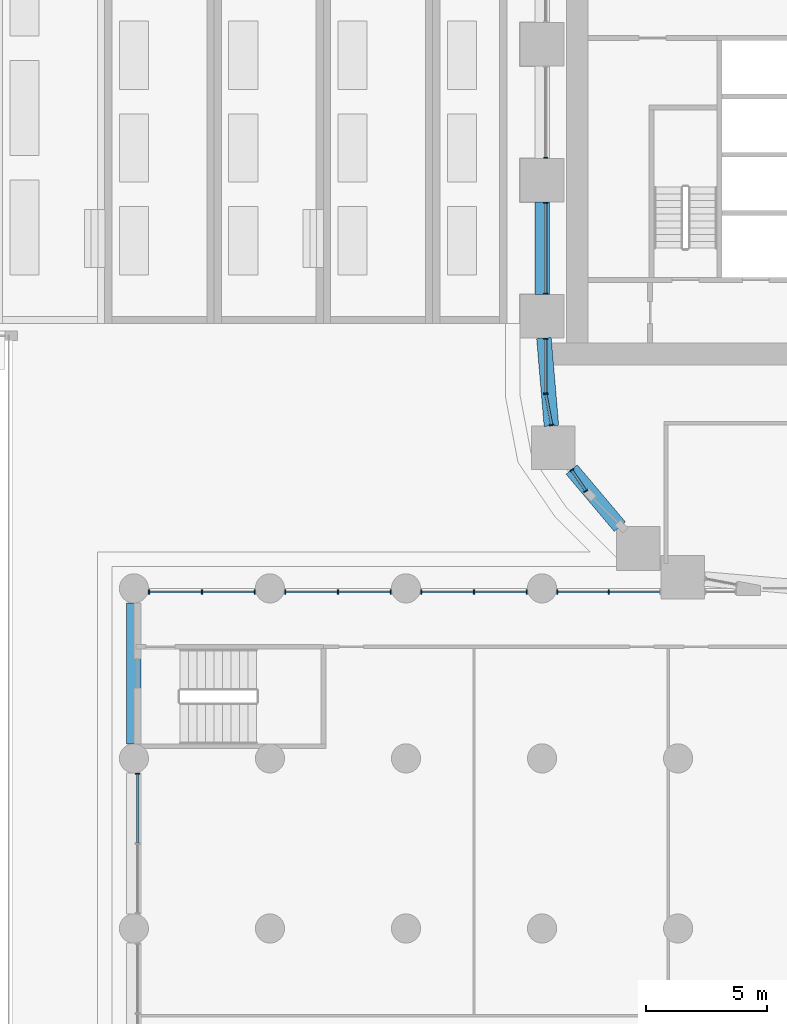
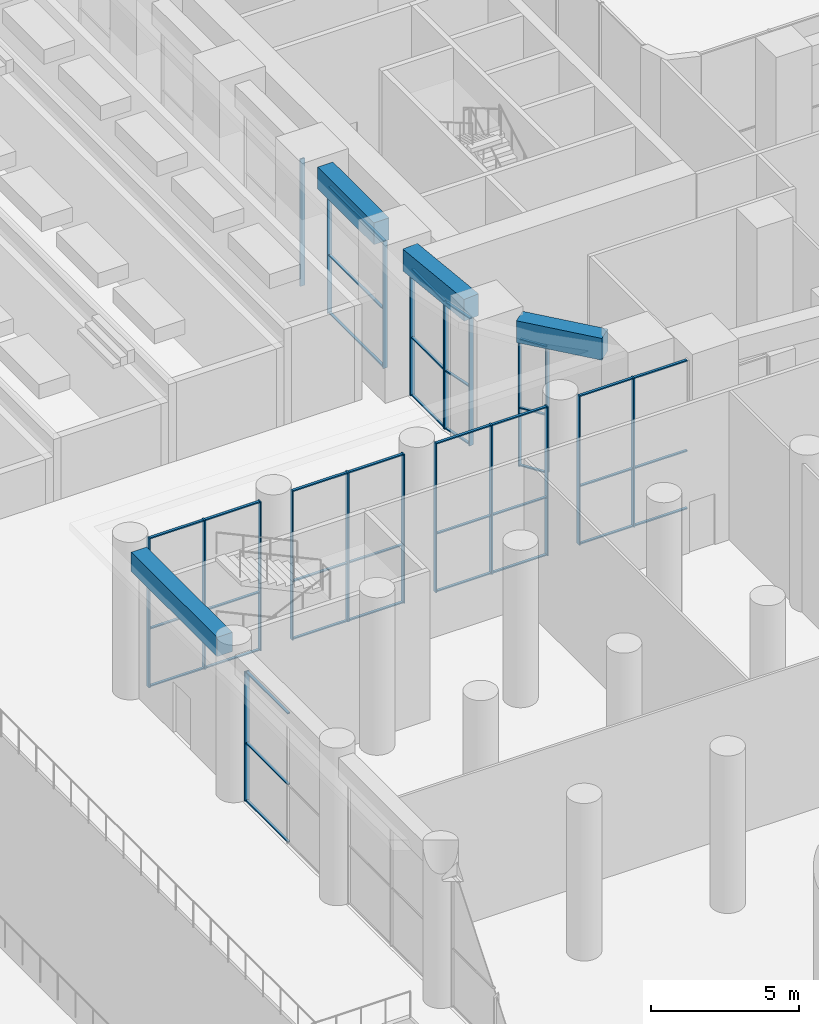
# One storey, part 9 of 51: 60 members, 4 beams, 10 elements without a shape of their own.
"""IFC4 building model written with IfcOpenShell, lengths in metres."""

from ifc_helpers import new_model, si_unit, direction, frame, origin, origin_2d, place, context, subcontext, project, spatial, rectangle, extrude, material, layer, layer_set, material_profile, profile_set, type_object, element, aggregate, save


model = new_model("IFC4")

# Units and contexts
model_context = context("Model", 3, precision=1e-05, world=origin(), true_north=direction((0.0, 1.0)))
body_context = subcontext(model_context, "Body", "Model", "MODEL_VIEW")
ifc_project = project(units=[si_unit("LENGTHUNIT", "METRE"), si_unit("AREAUNIT", "SQUARE_METRE"), si_unit("VOLUMEUNIT", "CUBIC_METRE"), si_unit("PLANEANGLEUNIT", "RADIAN"), si_unit("MASSUNIT", "GRAM", prefix="KILO")], contexts=[model_context])

# Site, building, storey
site_placement = place(None, origin())
site = spatial("IfcSite", under=ifc_project, at=site_placement, CompositionType="ELEMENT")
building_placement = place(site_placement, origin())
building = spatial("IfcBuilding", under=site, at=building_placement, Name="Kiln Ring Residences", CompositionType="ELEMENT")
storey_placement = place(building_placement, origin())
storey = spatial("IfcBuildingStorey", under=building, at=storey_placement, Name="L00", CompositionType="ELEMENT", Elevation=0.0)

# Curtain wall, member
ifc_material_1 = material(Name="Aluminium and glass", Category="aluminium")
ifc_layer = layer(ifc_material_1, 0.179931640625)
ifc_layer_set = layer_set([ifc_layer], Name="CW2 CURTAIN WALL")
curtain_wall_type = type_object("IfcCurtainWallType", Name="CW2 CURTAIN WALL", PredefinedType="NOTDEFINED", material=ifc_layer_set)
placement = place(storey_placement, origin())
curtain_wall_1 = element("IfcCurtainWall", 1, at=placement, inside=storey, type_object=curtain_wall_type, Name="Curtain wall CW2 L00", PredefinedType="NOTDEFINED")
ifc_material_2 = material(Name="Aluminium 6063-T6", Category="aluminium")
ifc_material_profile_1 = material_profile(ifc_material_2, rectangle(XDim=0.179931640625, YDim=0.050048828125, at=origin_2d()), Name="AL 180x50")
ifc_profile_set_1 = profile_set([ifc_material_profile_1], Name="Aluminium 6063-T6")
member_type_1 = type_object("IfcMemberType", Name="CW2 MULLION 180 x 50", PredefinedType="MULLION", material=ifc_profile_set_1)
member_1_placement = place(storey_placement, frame((-27.85009765625, -4.675048828125, 0.0), z_axis=(0.0, 0.0, 1.0), x_axis=(1.0, 0.0, 0.0)))
member_1 = element("IfcMember", 2, at=member_1_placement, type_object=member_type_1, Name="CW2 mullion 2", PredefinedType="MULLION", context=body_context, shape_type="SweptSolid", body=[
    extrude(rectangle(XDim=0.179931640625, YDim=0.050048828125, at=origin_2d()), origin(), (0.0, 0.0, 1.0), 5.25),
])
aggregate(curtain_wall_1, [member_1])

# Curtain wall, members
curtain_wall_2 = element("IfcCurtainWall", 3, at=placement, inside=storey, type_object=curtain_wall_type, Name="Curtain wall CW2 L00", PredefinedType="NOTDEFINED")
member_2_placement = place(storey_placement, frame((-27.85009765625, -6.52490234375, 0.0), z_axis=(0.0, 0.0, 1.0), x_axis=(1.0, 0.0, 0.0)))
member_2 = element("IfcMember", 4, at=member_2_placement, type_object=member_type_1, Name="CW2 mullion 1", PredefinedType="MULLION", context=body_context, shape_type="SweptSolid", body=[
    extrude(rectangle(XDim=0.179931640625, YDim=0.050048828125, at=origin_2d()), origin(), (0.0, 0.0, 1.0), 5.25),
])
member_3_placement = place(storey_placement, frame((-27.85009765625, -10.27490234375, 0.0), z_axis=(0.0, 0.0, 1.0), x_axis=(1.0, 0.0, 0.0)))
member_3 = element("IfcMember", 5, at=member_3_placement, type_object=member_type_1, Name="CW2 mullion 2", PredefinedType="MULLION", context=body_context, shape_type="SweptSolid", body=[
    extrude(rectangle(XDim=0.179931640625, YDim=0.050048828125, at=origin_2d()), origin(), (0.0, 0.0, 1.0), 5.25),
])

curtain_wall_3 = element("IfcCurtainWall", 6, at=placement, inside=storey, type_object=curtain_wall_type, Name="Curtain wall CW2 L00", PredefinedType="NOTDEFINED")
member_4_placement = place(storey_placement, frame((-27.85009765625, -12.125, 0.0), z_axis=(0.0, 0.0, 1.0), x_axis=(1.0, 0.0, 0.0)))
member_4 = element("IfcMember", 7, at=member_4_placement, type_object=member_type_1, Name="CW2 mullion 1", PredefinedType="MULLION", context=body_context, shape_type="SweptSolid", body=[
    extrude(rectangle(XDim=0.179931640625, YDim=0.050048828125, at=origin_2d()), origin(), (0.0, 0.0, 1.0), 5.25),
])
member_5_placement = place(storey_placement, frame((-27.85009765625, -14.375, 0.0), z_axis=(0.0, 0.0, 1.0), x_axis=(1.0, 0.0, 0.0)))
member_5 = element("IfcMember", 8, at=member_5_placement, type_object=member_type_1, Name="CW2 mullion 2", PredefinedType="MULLION", context=body_context, shape_type="SweptSolid", body=[
    extrude(rectangle(XDim=0.179931640625, YDim=0.050048828125, at=origin_2d()), origin(), (0.0, 0.0, 1.0), 5.25),
])

curtain_wall_4 = element("IfcCurtainWall", 9, at=placement, inside=storey, type_object=curtain_wall_type, Name="Curtain wall CW2 L00", PredefinedType="NOTDEFINED")
member_6_placement = place(storey_placement, frame((-27.847900390625, -14.396484375, 0.0), z_axis=(0.0, 0.0, 1.0), x_axis=(0.9822902578, 0.187365550279, 0.0)))
member_6 = element("IfcMember", 10, at=member_6_placement, type_object=member_type_1, Name="CW2 mullion 1", PredefinedType="MULLION", context=body_context, shape_type="SweptSolid", body=[
    extrude(rectangle(XDim=0.179931640625, YDim=0.050048828125, at=origin_2d()), origin(), (0.0, 0.0, 1.0), 5.25),
])
member_7_placement = place(storey_placement, frame((-27.603271484375, -15.679443359375, 0.0), z_axis=(0.0, 0.0, 1.0), x_axis=(0.9822902578, 0.187365550279, 0.0)))
member_7 = element("IfcMember", 11, at=member_7_placement, type_object=member_type_1, Name="CW2 mullion 2", PredefinedType="MULLION", context=body_context, shape_type="SweptSolid", body=[
    extrude(rectangle(XDim=0.179931640625, YDim=0.050048828125, at=origin_2d()), origin(), (0.0, 0.0, 1.0), 5.25),
])

curtain_wall_5 = element("IfcCurtainWall", 12, at=placement, inside=storey, type_object=curtain_wall_type, Name="Curtain wall CW2 L00", PredefinedType="NOTDEFINED")
member_8_placement = place(storey_placement, frame((-26.779296875, -17.529296875, 0.0), z_axis=(0.0, 0.0, 1.0), x_axis=(0.827071553488, 0.562096651308, 0.0)))
member_8 = element("IfcMember", 13, at=member_8_placement, type_object=member_type_1, Name="CW2 mullion 1", PredefinedType="MULLION", context=body_context, shape_type="SweptSolid", body=[
    extrude(rectangle(XDim=0.179931640625, YDim=0.050048828125, at=origin_2d()), origin(), (0.0, 0.0, 1.0), 5.25),
])
member_9_placement = place(storey_placement, frame((-26.19287109375, -18.39208984375, 0.0), z_axis=(0.0, 0.0, 1.0), x_axis=(0.827071553488, 0.562096651308, 0.0)))
member_9 = element("IfcMember", 14, at=member_9_placement, type_object=member_type_1, Name="CW2 mullion 2", PredefinedType="MULLION", context=body_context, shape_type="SweptSolid", body=[
    extrude(rectangle(XDim=0.179931640625, YDim=0.050048828125, at=origin_2d()), origin(), (0.0, 0.0, 1.0), 5.25),
])

curtain_wall_6 = element("IfcCurtainWall", 15, at=placement, inside=storey, type_object=curtain_wall_type, Name="Curtain wall CW2 L00", PredefinedType="NOTDEFINED")
member_10_placement = place(storey_placement, frame((-25.25439453125, -22.550048828125, 0.0), z_axis=(0.0, 0.0, 1.0), x_axis=(0.0, -1.0, 0.0)))
member_10 = element("IfcMember", 16, at=member_10_placement, type_object=member_type_1, Name="CW2 mullion 2", PredefinedType="MULLION", context=body_context, shape_type="SweptSolid", body=[
    extrude(rectangle(XDim=0.179931640625, YDim=0.050048828125, at=origin_2d()), origin(), (0.0, 0.0, 1.0), 6.14990234375),
])
member_11_placement = place(storey_placement, frame((-27.375, -22.550048828125, 0.0), z_axis=(0.0, 0.0, 1.0), x_axis=(0.0, -1.0, 0.0)))
member_11 = element("IfcMember", 17, at=member_11_placement, type_object=member_type_1, Name="CW2 mullion 3", PredefinedType="MULLION", context=body_context, shape_type="SweptSolid", body=[
    extrude(rectangle(XDim=0.179931640625, YDim=0.050048828125, at=origin_2d()), origin(), (0.0, 0.0, 1.0), 6.14990234375),
])

curtain_wall_7 = element("IfcCurtainWall", 18, at=placement, inside=storey, type_object=curtain_wall_type, Name="Curtain wall CW2 L00", PredefinedType="NOTDEFINED")
member_12_placement = place(storey_placement, frame((-28.625, -22.550048828125, 0.0), z_axis=(0.0, 0.0, 1.0), x_axis=(0.0, -1.0, 0.0)))
member_12 = element("IfcMember", 19, at=member_12_placement, type_object=member_type_1, Name="CW2 mullion 1", PredefinedType="MULLION", context=body_context, shape_type="SweptSolid", body=[
    extrude(rectangle(XDim=0.179931640625, YDim=0.050048828125, at=origin_2d()), origin(), (0.0, 0.0, 1.0), 6.14990234375),
])
member_13_placement = place(storey_placement, frame((-30.800048828125, -22.550048828125, 0.0), z_axis=(0.0, 0.0, 1.0), x_axis=(0.0, -1.0, 0.0)))
member_13 = element("IfcMember", 20, at=member_13_placement, type_object=member_type_1, Name="CW2 mullion 2", PredefinedType="MULLION", context=body_context, shape_type="SweptSolid", body=[
    extrude(rectangle(XDim=0.179931640625, YDim=0.050048828125, at=origin_2d()), origin(), (0.0, 0.0, 1.0), 6.14990234375),
])
member_14_placement = place(storey_placement, frame((-32.97509765625, -22.550048828125, 0.0), z_axis=(0.0, 0.0, 1.0), x_axis=(0.0, -1.0, 0.0)))
member_14 = element("IfcMember", 21, at=member_14_placement, type_object=member_type_1, Name="CW2 mullion 3", PredefinedType="MULLION", context=body_context, shape_type="SweptSolid", body=[
    extrude(rectangle(XDim=0.179931640625, YDim=0.050048828125, at=origin_2d()), origin(), (0.0, 0.0, 1.0), 6.14990234375),
])

curtain_wall_8 = element("IfcCurtainWall", 22, at=placement, inside=storey, type_object=curtain_wall_type, Name="Curtain wall CW2 L00", PredefinedType="NOTDEFINED")
member_15_placement = place(storey_placement, frame((-34.22509765625, -22.550048828125, 0.0), z_axis=(0.0, 0.0, 1.0), x_axis=(0.0, -1.0, 0.0)))
member_15 = element("IfcMember", 23, at=member_15_placement, type_object=member_type_1, Name="CW2 mullion 1", PredefinedType="MULLION", context=body_context, shape_type="SweptSolid", body=[
    extrude(rectangle(XDim=0.179931640625, YDim=0.050048828125, at=origin_2d()), origin(), (0.0, 0.0, 1.0), 6.14990234375),
])
member_16_placement = place(storey_placement, frame((-36.39990234375, -22.550048828125, 0.0), z_axis=(0.0, 0.0, 1.0), x_axis=(0.0, -1.0, 0.0)))
member_16 = element("IfcMember", 24, at=member_16_placement, type_object=member_type_1, Name="CW2 mullion 2", PredefinedType="MULLION", context=body_context, shape_type="SweptSolid", body=[
    extrude(rectangle(XDim=0.179931640625, YDim=0.050048828125, at=origin_2d()), origin(), (0.0, 0.0, 1.0), 6.14990234375),
])
member_17_placement = place(storey_placement, frame((-38.574951171875, -22.550048828125, 0.0), z_axis=(0.0, 0.0, 1.0), x_axis=(0.0, -1.0, 0.0)))
member_17 = element("IfcMember", 25, at=member_17_placement, type_object=member_type_1, Name="CW2 mullion 3", PredefinedType="MULLION", context=body_context, shape_type="SweptSolid", body=[
    extrude(rectangle(XDim=0.179931640625, YDim=0.050048828125, at=origin_2d()), origin(), (0.0, 0.0, 1.0), 6.14990234375),
])

curtain_wall_9 = element("IfcCurtainWall", 26, at=placement, inside=storey, type_object=curtain_wall_type, Name="Curtain wall CW2 L00", PredefinedType="NOTDEFINED")
member_18_placement = place(storey_placement, frame((-39.824951171875, -22.550048828125, 0.0), z_axis=(0.0, 0.0, 1.0), x_axis=(0.0, -1.0, 0.0)))
member_18 = element("IfcMember", 27, at=member_18_placement, type_object=member_type_1, Name="CW2 mullion 1", PredefinedType="MULLION", context=body_context, shape_type="SweptSolid", body=[
    extrude(rectangle(XDim=0.179931640625, YDim=0.050048828125, at=origin_2d()), origin(), (0.0, 0.0, 1.0), 6.14990234375),
])
member_19_placement = place(storey_placement, frame((-42.0, -22.550048828125, 0.0), z_axis=(0.0, 0.0, 1.0), x_axis=(0.0, -1.0, 0.0)))
member_19 = element("IfcMember", 28, at=member_19_placement, type_object=member_type_1, Name="CW2 mullion 2", PredefinedType="MULLION", context=body_context, shape_type="SweptSolid", body=[
    extrude(rectangle(XDim=0.179931640625, YDim=0.050048828125, at=origin_2d()), origin(), (0.0, 0.0, 1.0), 6.14990234375),
])
member_20_placement = place(storey_placement, frame((-44.175048828125, -22.550048828125, 0.0), z_axis=(0.0, 0.0, 1.0), x_axis=(0.0, -1.0, 0.0)))
member_20 = element("IfcMember", 29, at=member_20_placement, type_object=member_type_1, Name="CW2 mullion 3", PredefinedType="MULLION", context=body_context, shape_type="SweptSolid", body=[
    extrude(rectangle(XDim=0.179931640625, YDim=0.050048828125, at=origin_2d()), origin(), (0.0, 0.0, 1.0), 6.14990234375),
])

# Curtain wall, member
curtain_wall_10 = element("IfcCurtainWall", 30, at=placement, inside=storey, type_object=curtain_wall_type, Name="Curtain wall CW2 L00", PredefinedType="NOTDEFINED")
member_21_placement = place(storey_placement, frame((-44.64990234375, -30.02490234375, 0.0), z_axis=(0.0, 0.0, 1.0), x_axis=(1.0, 0.0, 0.0)))
member_21 = element("IfcMember", 31, at=member_21_placement, type_object=member_type_1, Name="CW2 mullion 1", PredefinedType="MULLION", context=body_context, shape_type="SweptSolid", body=[
    extrude(rectangle(XDim=0.179931640625, YDim=0.050048828125, at=origin_2d()), origin(), (0.0, 0.0, 1.0), 5.35009765625),
])

# Member
ifc_material_3 = material(Name="Aluminium 6063-T6", Category="aluminium")
ifc_material_profile_2 = material_profile(ifc_material_3, rectangle(XDim=0.10009765625, YDim=0.050048828125, at=origin_2d()), Name="AL 100x50")
ifc_profile_set_2 = profile_set([ifc_material_profile_2], Name="Aluminium 6063-T6")
member_type_2 = type_object("IfcMemberType", Name="CW2 TRANSOM 100 x 50", PredefinedType="USERDEFINED", material=ifc_profile_set_2)
member_22_placement = place(storey_placement, frame((-27.85009765625, -6.550048828125, 0.02490234375), z_axis=(0.0, -1.0, 0.0), x_axis=(1.0, 0.0, 0.0)))
member_22 = element("IfcMember", 32, at=member_22_placement, type_object=member_type_2, Name="CW2 transom 1.1", ObjectType="TRANSOM", PredefinedType="USERDEFINED", context=body_context, shape_type="SweptSolid", body=[
    extrude(rectangle(XDim=0.10009765625, YDim=0.050048828125, at=origin_2d()), origin(), (0.0, 0.0, 1.0), 3.699951171875),
])

member_23_placement = place(storey_placement, frame((-27.85009765625, -6.550048828125, 2.39990234375), z_axis=(0.0, -1.0, 0.0), x_axis=(1.0, 0.0, 0.0)))
member_23 = element("IfcMember", 33, at=member_23_placement, type_object=member_type_2, Name="CW2 transom 1.2", ObjectType="TRANSOM", PredefinedType="USERDEFINED", context=body_context, shape_type="SweptSolid", body=[
    extrude(rectangle(XDim=0.10009765625, YDim=0.050048828125, at=origin_2d()), origin(), (0.0, 0.0, 1.0), 3.699951171875),
])

member_24_placement = place(storey_placement, frame((-27.85009765625, -6.550048828125, 5.22509765625), z_axis=(0.0, -1.0, 0.0), x_axis=(1.0, 0.0, 0.0)))
member_24 = element("IfcMember", 34, at=member_24_placement, type_object=member_type_2, Name="CW2 transom 1.3", ObjectType="TRANSOM", PredefinedType="USERDEFINED", context=body_context, shape_type="SweptSolid", body=[
    extrude(rectangle(XDim=0.10009765625, YDim=0.050048828125, at=origin_2d()), origin(), (0.0, 0.0, 1.0), 3.699951171875),
])

aggregate(curtain_wall_2, [member_2, member_3, member_22, member_23, member_24])

member_25_placement = place(storey_placement, frame((-27.85009765625, -12.14990234375, 0.02490234375), z_axis=(0.0, -1.0, 0.0), x_axis=(1.0, 0.0, 0.0)))
member_25 = element("IfcMember", 35, at=member_25_placement, type_object=member_type_2, Name="CW2 transom 1.1", ObjectType="TRANSOM", PredefinedType="USERDEFINED", context=body_context, shape_type="SweptSolid", body=[
    extrude(rectangle(XDim=0.10009765625, YDim=0.050048828125, at=origin_2d()), origin(), (0.0, 0.0, 1.0), 2.2001953125),
])

member_26_placement = place(storey_placement, frame((-27.85009765625, -12.14990234375, 2.39990234375), z_axis=(0.0, -1.0, 0.0), x_axis=(1.0, 0.0, 0.0)))
member_26 = element("IfcMember", 36, at=member_26_placement, type_object=member_type_2, Name="CW2 transom 1.2", ObjectType="TRANSOM", PredefinedType="USERDEFINED", context=body_context, shape_type="SweptSolid", body=[
    extrude(rectangle(XDim=0.10009765625, YDim=0.050048828125, at=origin_2d()), origin(), (0.0, 0.0, 1.0), 2.2001953125),
])

member_27_placement = place(storey_placement, frame((-27.85009765625, -12.14990234375, 5.22509765625), z_axis=(0.0, -1.0, 0.0), x_axis=(1.0, 0.0, 0.0)))
member_27 = element("IfcMember", 37, at=member_27_placement, type_object=member_type_2, Name="CW2 transom 1.3", ObjectType="TRANSOM", PredefinedType="USERDEFINED", context=body_context, shape_type="SweptSolid", body=[
    extrude(rectangle(XDim=0.10009765625, YDim=0.050048828125, at=origin_2d()), origin(), (0.0, 0.0, 1.0), 2.2001953125),
])

aggregate(curtain_wall_3, [member_4, member_5, member_25, member_26, member_27])

member_28_placement = place(storey_placement, frame((-27.84326171875, -14.4208984375, 0.02490234375), z_axis=(0.18736217437, -0.982290901727, 0.0), x_axis=(0.982290901727, 0.18736217437, 0.0)))
member_28 = element("IfcMember", 38, at=member_28_placement, type_object=member_type_2, Name="CW2 transom 1.1", ObjectType="TRANSOM", PredefinedType="USERDEFINED", context=body_context, shape_type="SweptSolid", body=[
    extrude(rectangle(XDim=0.10009765625, YDim=0.050048828125, at=origin_2d()), origin(), (0.0, 0.0, 1.0), 1.256103515625),
])

member_29_placement = place(storey_placement, frame((-27.84326171875, -14.4208984375, 2.39990234375), z_axis=(0.18736217437, -0.982290901727, 0.0), x_axis=(0.982290901727, 0.18736217437, 0.0)))
member_29 = element("IfcMember", 39, at=member_29_placement, type_object=member_type_2, Name="CW2 transom 1.2", ObjectType="TRANSOM", PredefinedType="USERDEFINED", context=body_context, shape_type="SweptSolid", body=[
    extrude(rectangle(XDim=0.10009765625, YDim=0.050048828125, at=origin_2d()), origin(), (0.0, 0.0, 1.0), 1.256103515625),
])

member_30_placement = place(storey_placement, frame((-27.84326171875, -14.4208984375, 5.22509765625), z_axis=(0.18736217437, -0.982290901727, 0.0), x_axis=(0.982290901727, 0.18736217437, 0.0)))
member_30 = element("IfcMember", 40, at=member_30_placement, type_object=member_type_2, Name="CW2 transom 1.3", ObjectType="TRANSOM", PredefinedType="USERDEFINED", context=body_context, shape_type="SweptSolid", body=[
    extrude(rectangle(XDim=0.10009765625, YDim=0.050048828125, at=origin_2d()), origin(), (0.0, 0.0, 1.0), 1.256103515625),
])

aggregate(curtain_wall_4, [member_6, member_7, member_28, member_29, member_30])

member_31_placement = place(storey_placement, frame((-26.76513671875, -17.550048828125, 0.02490234375), z_axis=(0.562054442388, -0.827100238055, 0.0), x_axis=(0.827100238055, 0.562054442388, 0.0)))
member_31 = element("IfcMember", 41, at=member_31_placement, type_object=member_type_2, Name="CW2 transom 1.1", ObjectType="TRANSOM", PredefinedType="USERDEFINED", context=body_context, shape_type="SweptSolid", body=[
    extrude(rectangle(XDim=0.10009765625, YDim=0.050048828125, at=origin_2d()), origin(), (0.0, 0.0, 1.0), 0.992919921875),
])

member_32_placement = place(storey_placement, frame((-26.76513671875, -17.550048828125, 2.39990234375), z_axis=(0.562054442388, -0.827100238055, 0.0), x_axis=(0.827100238055, 0.562054442388, 0.0)))
member_32 = element("IfcMember", 42, at=member_32_placement, type_object=member_type_2, Name="CW2 transom 1.2", ObjectType="TRANSOM", PredefinedType="USERDEFINED", context=body_context, shape_type="SweptSolid", body=[
    extrude(rectangle(XDim=0.10009765625, YDim=0.050048828125, at=origin_2d()), origin(), (0.0, 0.0, 1.0), 0.992919921875),
])

member_33_placement = place(storey_placement, frame((-26.76513671875, -17.550048828125, 5.22509765625), z_axis=(0.562054442388, -0.827100238055, 0.0), x_axis=(0.827100238055, 0.562054442388, 0.0)))
member_33 = element("IfcMember", 43, at=member_33_placement, type_object=member_type_2, Name="CW2 transom 1.3", ObjectType="TRANSOM", PredefinedType="USERDEFINED", context=body_context, shape_type="SweptSolid", body=[
    extrude(rectangle(XDim=0.10009765625, YDim=0.050048828125, at=origin_2d()), origin(), (0.0, 0.0, 1.0), 0.992919921875),
])

aggregate(curtain_wall_5, [member_8, member_9, member_31, member_32, member_33])

member_34_placement = place(storey_placement, frame((-23.15869140625, -22.550048828125, 0.02490234375), z_axis=(-1.0, 0.0, 0.0), x_axis=(0.0, -1.0, 0.0)))
member_34 = element("IfcMember", 44, at=member_34_placement, type_object=member_type_2, Name="CW2 transom 1.1", ObjectType="TRANSOM", PredefinedType="USERDEFINED", context=body_context, shape_type="SweptSolid", body=[
    extrude(rectangle(XDim=0.10009765625, YDim=0.050048828125, at=origin_2d()), origin(), (0.0, 0.0, 1.0), 2.070556640625),
])

member_35_placement = place(storey_placement, frame((-23.15869140625, -22.550048828125, 2.39990234375), z_axis=(-1.0, 0.0, 0.0), x_axis=(0.0, -1.0, 0.0)))
member_35 = element("IfcMember", 45, at=member_35_placement, type_object=member_type_2, Name="CW2 transom 1.2", ObjectType="TRANSOM", PredefinedType="USERDEFINED", context=body_context, shape_type="SweptSolid", body=[
    extrude(rectangle(XDim=0.10009765625, YDim=0.050048828125, at=origin_2d()), origin(), (0.0, 0.0, 1.0), 2.070556640625),
])

member_36_placement = place(storey_placement, frame((-23.15869140625, -22.550048828125, 6.125), z_axis=(-1.0, 0.0, 0.0), x_axis=(0.0, -1.0, 0.0)))
member_36 = element("IfcMember", 46, at=member_36_placement, type_object=member_type_2, Name="CW2 transom 1.3", ObjectType="TRANSOM", PredefinedType="USERDEFINED", context=body_context, shape_type="SweptSolid", body=[
    extrude(rectangle(XDim=0.10009765625, YDim=0.050048828125, at=origin_2d()), origin(), (0.0, 0.0, 1.0), 2.070556640625),
])

member_37_placement = place(storey_placement, frame((-25.279296875, -22.550048828125, 0.02490234375), z_axis=(-1.0, 0.0, 0.0), x_axis=(0.0, -1.0, 0.0)))
member_37 = element("IfcMember", 47, at=member_37_placement, type_object=member_type_2, Name="CW2 transom 2.1", ObjectType="TRANSOM", PredefinedType="USERDEFINED", context=body_context, shape_type="SweptSolid", body=[
    extrude(rectangle(XDim=0.10009765625, YDim=0.050048828125, at=origin_2d()), origin(), (0.0, 0.0, 1.0), 2.07080078125),
])

member_38_placement = place(storey_placement, frame((-25.279296875, -22.550048828125, 2.39990234375), z_axis=(-1.0, 0.0, 0.0), x_axis=(0.0, -1.0, 0.0)))
member_38 = element("IfcMember", 48, at=member_38_placement, type_object=member_type_2, Name="CW2 transom 2.2", ObjectType="TRANSOM", PredefinedType="USERDEFINED", context=body_context, shape_type="SweptSolid", body=[
    extrude(rectangle(XDim=0.10009765625, YDim=0.050048828125, at=origin_2d()), origin(), (0.0, 0.0, 1.0), 2.07080078125),
])

member_39_placement = place(storey_placement, frame((-25.279296875, -22.550048828125, 6.125), z_axis=(-1.0, 0.0, 0.0), x_axis=(0.0, -1.0, 0.0)))
member_39 = element("IfcMember", 49, at=member_39_placement, type_object=member_type_2, Name="CW2 transom 2.3", ObjectType="TRANSOM", PredefinedType="USERDEFINED", context=body_context, shape_type="SweptSolid", body=[
    extrude(rectangle(XDim=0.10009765625, YDim=0.050048828125, at=origin_2d()), origin(), (0.0, 0.0, 1.0), 2.07080078125),
])

aggregate(curtain_wall_6, [member_10, member_11, member_34, member_35, member_36, member_37, member_38, member_39])

member_40_placement = place(storey_placement, frame((-28.64990234375, -22.550048828125, 0.02490234375), z_axis=(-1.0, 0.0, 0.0), x_axis=(0.0, -1.0, 0.0)))
member_40 = element("IfcMember", 50, at=member_40_placement, type_object=member_type_2, Name="CW2 transom 1.1", ObjectType="TRANSOM", PredefinedType="USERDEFINED", context=body_context, shape_type="SweptSolid", body=[
    extrude(rectangle(XDim=0.10009765625, YDim=0.050048828125, at=origin_2d()), origin(), (0.0, 0.0, 1.0), 2.125),
])

member_41_placement = place(storey_placement, frame((-28.64990234375, -22.550048828125, 2.39990234375), z_axis=(-1.0, 0.0, 0.0), x_axis=(0.0, -1.0, 0.0)))
member_41 = element("IfcMember", 51, at=member_41_placement, type_object=member_type_2, Name="CW2 transom 1.2", ObjectType="TRANSOM", PredefinedType="USERDEFINED", context=body_context, shape_type="SweptSolid", body=[
    extrude(rectangle(XDim=0.10009765625, YDim=0.050048828125, at=origin_2d()), origin(), (0.0, 0.0, 1.0), 2.125),
])

member_42_placement = place(storey_placement, frame((-28.64990234375, -22.550048828125, 6.125), z_axis=(-1.0, 0.0, 0.0), x_axis=(0.0, -1.0, 0.0)))
member_42 = element("IfcMember", 52, at=member_42_placement, type_object=member_type_2, Name="CW2 transom 1.3", ObjectType="TRANSOM", PredefinedType="USERDEFINED", context=body_context, shape_type="SweptSolid", body=[
    extrude(rectangle(XDim=0.10009765625, YDim=0.050048828125, at=origin_2d()), origin(), (0.0, 0.0, 1.0), 2.125),
])

member_43_placement = place(storey_placement, frame((-30.824951171875, -22.550048828125, 0.02490234375), z_axis=(-1.0, 0.0, 0.0), x_axis=(0.0, -1.0, 0.0)))
member_43 = element("IfcMember", 53, at=member_43_placement, type_object=member_type_2, Name="CW2 transom 2.1", ObjectType="TRANSOM", PredefinedType="USERDEFINED", context=body_context, shape_type="SweptSolid", body=[
    extrude(rectangle(XDim=0.10009765625, YDim=0.050048828125, at=origin_2d()), origin(), (0.0, 0.0, 1.0), 2.125),
])

member_44_placement = place(storey_placement, frame((-30.824951171875, -22.550048828125, 2.39990234375), z_axis=(-1.0, 0.0, 0.0), x_axis=(0.0, -1.0, 0.0)))
member_44 = element("IfcMember", 54, at=member_44_placement, type_object=member_type_2, Name="CW2 transom 2.2", ObjectType="TRANSOM", PredefinedType="USERDEFINED", context=body_context, shape_type="SweptSolid", body=[
    extrude(rectangle(XDim=0.10009765625, YDim=0.050048828125, at=origin_2d()), origin(), (0.0, 0.0, 1.0), 2.125),
])

member_45_placement = place(storey_placement, frame((-30.824951171875, -22.550048828125, 6.125), z_axis=(-1.0, 0.0, 0.0), x_axis=(0.0, -1.0, 0.0)))
member_45 = element("IfcMember", 55, at=member_45_placement, type_object=member_type_2, Name="CW2 transom 2.3", ObjectType="TRANSOM", PredefinedType="USERDEFINED", context=body_context, shape_type="SweptSolid", body=[
    extrude(rectangle(XDim=0.10009765625, YDim=0.050048828125, at=origin_2d()), origin(), (0.0, 0.0, 1.0), 2.125),
])

aggregate(curtain_wall_7, [member_12, member_13, member_14, member_40, member_41, member_42, member_43, member_44, member_45])

member_46_placement = place(storey_placement, frame((-34.25, -22.550048828125, 0.02490234375), z_axis=(-1.0, 0.0, 0.0), x_axis=(0.0, -1.0, 0.0)))
member_46 = element("IfcMember", 56, at=member_46_placement, type_object=member_type_2, Name="CW2 transom 1.1", ObjectType="TRANSOM", PredefinedType="USERDEFINED", context=body_context, shape_type="SweptSolid", body=[
    extrude(rectangle(XDim=0.10009765625, YDim=0.050048828125, at=origin_2d()), origin(), (0.0, 0.0, 1.0), 2.125),
])

member_47_placement = place(storey_placement, frame((-34.25, -22.550048828125, 2.39990234375), z_axis=(-1.0, 0.0, 0.0), x_axis=(0.0, -1.0, 0.0)))
member_47 = element("IfcMember", 57, at=member_47_placement, type_object=member_type_2, Name="CW2 transom 1.2", ObjectType="TRANSOM", PredefinedType="USERDEFINED", context=body_context, shape_type="SweptSolid", body=[
    extrude(rectangle(XDim=0.10009765625, YDim=0.050048828125, at=origin_2d()), origin(), (0.0, 0.0, 1.0), 2.125),
])

member_48_placement = place(storey_placement, frame((-34.25, -22.550048828125, 6.125), z_axis=(-1.0, 0.0, 0.0), x_axis=(0.0, -1.0, 0.0)))
member_48 = element("IfcMember", 58, at=member_48_placement, type_object=member_type_2, Name="CW2 transom 1.3", ObjectType="TRANSOM", PredefinedType="USERDEFINED", context=body_context, shape_type="SweptSolid", body=[
    extrude(rectangle(XDim=0.10009765625, YDim=0.050048828125, at=origin_2d()), origin(), (0.0, 0.0, 1.0), 2.125),
])

member_49_placement = place(storey_placement, frame((-36.425048828125, -22.550048828125, 0.02490234375), z_axis=(-1.0, 0.0, 0.0), x_axis=(0.0, -1.0, 0.0)))
member_49 = element("IfcMember", 59, at=member_49_placement, type_object=member_type_2, Name="CW2 transom 2.1", ObjectType="TRANSOM", PredefinedType="USERDEFINED", context=body_context, shape_type="SweptSolid", body=[
    extrude(rectangle(XDim=0.10009765625, YDim=0.050048828125, at=origin_2d()), origin(), (0.0, 0.0, 1.0), 2.125),
])

member_50_placement = place(storey_placement, frame((-36.425048828125, -22.550048828125, 2.39990234375), z_axis=(-1.0, 0.0, 0.0), x_axis=(0.0, -1.0, 0.0)))
member_50 = element("IfcMember", 60, at=member_50_placement, type_object=member_type_2, Name="CW2 transom 2.2", ObjectType="TRANSOM", PredefinedType="USERDEFINED", context=body_context, shape_type="SweptSolid", body=[
    extrude(rectangle(XDim=0.10009765625, YDim=0.050048828125, at=origin_2d()), origin(), (0.0, 0.0, 1.0), 2.125),
])

member_51_placement = place(storey_placement, frame((-36.425048828125, -22.550048828125, 6.125), z_axis=(-1.0, 0.0, 0.0), x_axis=(0.0, -1.0, 0.0)))
member_51 = element("IfcMember", 61, at=member_51_placement, type_object=member_type_2, Name="CW2 transom 2.3", ObjectType="TRANSOM", PredefinedType="USERDEFINED", context=body_context, shape_type="SweptSolid", body=[
    extrude(rectangle(XDim=0.10009765625, YDim=0.050048828125, at=origin_2d()), origin(), (0.0, 0.0, 1.0), 2.125),
])

aggregate(curtain_wall_8, [member_15, member_16, member_17, member_46, member_47, member_48, member_49, member_50, member_51])

member_52_placement = place(storey_placement, frame((-39.85009765625, -22.550048828125, 0.02490234375), z_axis=(-1.0, 0.0, 0.0), x_axis=(0.0, -1.0, 0.0)))
member_52 = element("IfcMember", 62, at=member_52_placement, type_object=member_type_2, Name="CW2 transom 1.1", ObjectType="TRANSOM", PredefinedType="USERDEFINED", context=body_context, shape_type="SweptSolid", body=[
    extrude(rectangle(XDim=0.10009765625, YDim=0.050048828125, at=origin_2d()), origin(), (0.0, 0.0, 1.0), 2.125),
])

member_53_placement = place(storey_placement, frame((-39.85009765625, -22.550048828125, 2.39990234375), z_axis=(-1.0, 0.0, 0.0), x_axis=(0.0, -1.0, 0.0)))
member_53 = element("IfcMember", 63, at=member_53_placement, type_object=member_type_2, Name="CW2 transom 1.2", ObjectType="TRANSOM", PredefinedType="USERDEFINED", context=body_context, shape_type="SweptSolid", body=[
    extrude(rectangle(XDim=0.10009765625, YDim=0.050048828125, at=origin_2d()), origin(), (0.0, 0.0, 1.0), 2.125),
])

member_54_placement = place(storey_placement, frame((-39.85009765625, -22.550048828125, 6.125), z_axis=(-1.0, 0.0, 0.0), x_axis=(0.0, -1.0, 0.0)))
member_54 = element("IfcMember", 64, at=member_54_placement, type_object=member_type_2, Name="CW2 transom 1.3", ObjectType="TRANSOM", PredefinedType="USERDEFINED", context=body_context, shape_type="SweptSolid", body=[
    extrude(rectangle(XDim=0.10009765625, YDim=0.050048828125, at=origin_2d()), origin(), (0.0, 0.0, 1.0), 2.125),
])

member_55_placement = place(storey_placement, frame((-42.02490234375, -22.550048828125, 0.02490234375), z_axis=(-1.0, 0.0, 0.0), x_axis=(0.0, -1.0, 0.0)))
member_55 = element("IfcMember", 65, at=member_55_placement, type_object=member_type_2, Name="CW2 transom 2.1", ObjectType="TRANSOM", PredefinedType="USERDEFINED", context=body_context, shape_type="SweptSolid", body=[
    extrude(rectangle(XDim=0.10009765625, YDim=0.050048828125, at=origin_2d()), origin(), (0.0, 0.0, 1.0), 2.125),
])

member_56_placement = place(storey_placement, frame((-42.02490234375, -22.550048828125, 2.39990234375), z_axis=(-1.0, 0.0, 0.0), x_axis=(0.0, -1.0, 0.0)))
member_56 = element("IfcMember", 66, at=member_56_placement, type_object=member_type_2, Name="CW2 transom 2.2", ObjectType="TRANSOM", PredefinedType="USERDEFINED", context=body_context, shape_type="SweptSolid", body=[
    extrude(rectangle(XDim=0.10009765625, YDim=0.050048828125, at=origin_2d()), origin(), (0.0, 0.0, 1.0), 2.125),
])

member_57_placement = place(storey_placement, frame((-42.02490234375, -22.550048828125, 6.125), z_axis=(-1.0, 0.0, 0.0), x_axis=(0.0, -1.0, 0.0)))
member_57 = element("IfcMember", 67, at=member_57_placement, type_object=member_type_2, Name="CW2 transom 2.3", ObjectType="TRANSOM", PredefinedType="USERDEFINED", context=body_context, shape_type="SweptSolid", body=[
    extrude(rectangle(XDim=0.10009765625, YDim=0.050048828125, at=origin_2d()), origin(), (0.0, 0.0, 1.0), 2.125),
])

aggregate(curtain_wall_9, [member_18, member_19, member_20, member_52, member_53, member_54, member_55, member_56, member_57])

member_58_placement = place(storey_placement, frame((-44.64990234375, -30.050048828125, 0.02490234375), z_axis=(0.0, -1.0, 0.0), x_axis=(1.0, 0.0, 0.0)))
member_58 = element("IfcMember", 68, at=member_58_placement, type_object=member_type_2, Name="CW2 transom 1.1", ObjectType="TRANSOM", PredefinedType="USERDEFINED", context=body_context, shape_type="SweptSolid", body=[
    extrude(rectangle(XDim=0.10009765625, YDim=0.050048828125, at=origin_2d()), origin(), (0.0, 0.0, 1.0), 2.824951171875),
])

member_59_placement = place(storey_placement, frame((-44.64990234375, -30.050048828125, 2.39990234375), z_axis=(0.0, -1.0, 0.0), x_axis=(1.0, 0.0, 0.0)))
member_59 = element("IfcMember", 69, at=member_59_placement, type_object=member_type_2, Name="CW2 transom 1.2", ObjectType="TRANSOM", PredefinedType="USERDEFINED", context=body_context, shape_type="SweptSolid", body=[
    extrude(rectangle(XDim=0.10009765625, YDim=0.050048828125, at=origin_2d()), origin(), (0.0, 0.0, 1.0), 2.824951171875),
])

member_60_placement = place(storey_placement, frame((-44.64990234375, -30.050048828125, 5.324951171875), z_axis=(0.0, -1.0, 0.0), x_axis=(1.0, 0.0, 0.0)))
member_60 = element("IfcMember", 70, at=member_60_placement, type_object=member_type_2, Name="CW2 transom 1.3", ObjectType="TRANSOM", PredefinedType="USERDEFINED", context=body_context, shape_type="SweptSolid", body=[
    extrude(rectangle(XDim=0.10009765625, YDim=0.050048828125, at=origin_2d()), origin(), (0.0, 0.0, 1.0), 2.824951171875),
])

aggregate(curtain_wall_10, [member_21, member_58, member_59, member_60])

# Beams
ifc_material_4 = material(Name="Concrete C50/60", Category="concrete")
ifc_material_profile_3 = material_profile(ifc_material_4, rectangle(XDim=0.60009765625, YDim=0.800048828125, at=origin_2d()), Name="RC600x800")
ifc_profile_set_3 = profile_set([ifc_material_profile_3], Name="Concrete C50/60")
beam_type_1 = type_object("IfcBeamType", Name="Ring beam RC600x800 C50/60", PredefinedType="BEAM", material=ifc_profile_set_3)
beam_1_placement = place(storey_placement, frame((-44.800048828125, -23.0, 5.75), z_axis=(0.0, -1.0, 0.0), x_axis=(1.0, 0.0, 0.0)))
element("IfcBeam", 71, at=beam_1_placement, inside=storey, type_object=beam_type_1, Name="Ring beam L00 17", PredefinedType="BEAM", context=body_context, shape_type="SweptSolid", body=[
    extrude(rectangle(XDim=0.60009765625, YDim=0.800048828125, at=origin_2d()), origin(), (0.0, 0.0, 1.0), 5.800048828125),
])
ifc_material_5 = material(Name="Concrete C50/60", Category="concrete")
ifc_material_profile_4 = material_profile(ifc_material_5, rectangle(XDim=0.60009765625, YDim=0.89990234375, at=origin_2d()), Name="RC600x900")
ifc_profile_set_4 = profile_set([ifc_material_profile_4], Name="Concrete C50/60")
beam_type_2 = type_object("IfcBeamType", Name="Spandrel beam RC600x900 C50/60", PredefinedType="SPANDREL", material=ifc_profile_set_4)
beam_2_placement = place(storey_placement, frame((-28.0, -6.5, 5.699951171875), z_axis=(0.0, -1.0, 0.0), x_axis=(1.0, 0.0, 0.0)))
element("IfcBeam", 72, at=beam_2_placement, inside=storey, type_object=beam_type_2, Name="Spandrel beam L00 30", PredefinedType="SPANDREL", context=body_context, shape_type="SweptSolid", body=[
    extrude(rectangle(XDim=0.60009765625, YDim=0.89990234375, at=origin_2d()), origin(), (0.0, 0.0, 1.0), 3.800048828125),
])
beam_3_placement = place(storey_placement, frame((-27.923095703125, -12.10009765625, 5.699951171875), z_axis=(0.085070372843, -0.996374945321, 0.0), x_axis=(0.996374945321, 0.085070372843, 0.0)))
element("IfcBeam", 73, at=beam_3_placement, inside=storey, type_object=beam_type_2, Name="Spandrel beam L00 31", PredefinedType="SPANDREL", context=body_context, shape_type="SweptSolid", body=[
    extrude(rectangle(XDim=0.60009765625, YDim=0.89990234375, at=origin_2d()), origin(), (0.0, 0.0, 1.0), 3.621826171875),
])
beam_4_placement = place(storey_placement, frame((-26.77978515625, -17.5087890625, 5.699951171875), z_axis=(0.644392464941, -0.764694939912, 0.0), x_axis=(0.764694939912, 0.644392464941, 0.0)))
element("IfcBeam", 74, at=beam_4_placement, inside=storey, type_object=beam_type_2, Name="Spandrel beam L00 32", PredefinedType="SPANDREL", context=body_context, shape_type="SweptSolid", body=[
    extrude(rectangle(XDim=0.60009765625, YDim=0.89990234375, at=origin_2d()), origin(), (0.0, 0.0, 1.0), 3.074462890625),
])

save(model, "model.ifc")
